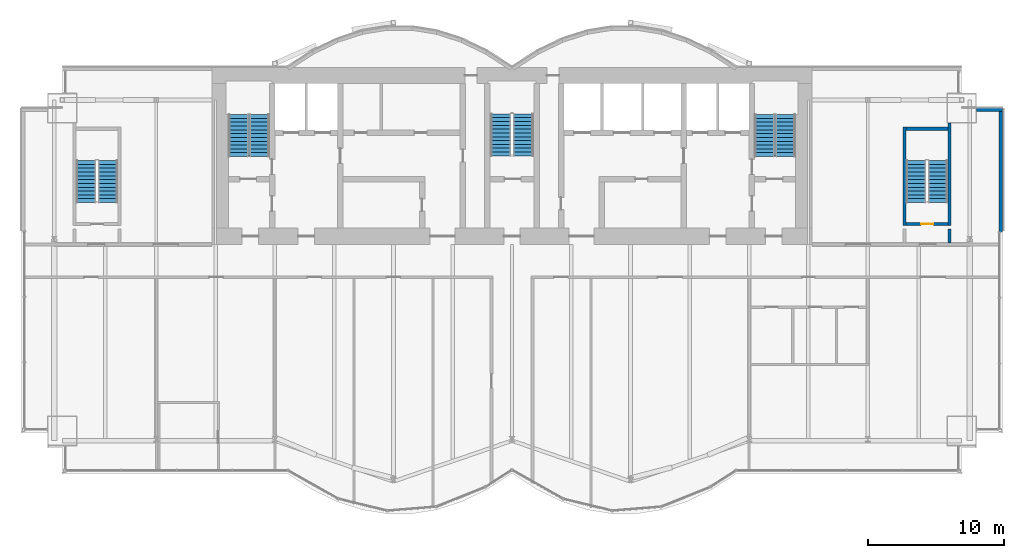
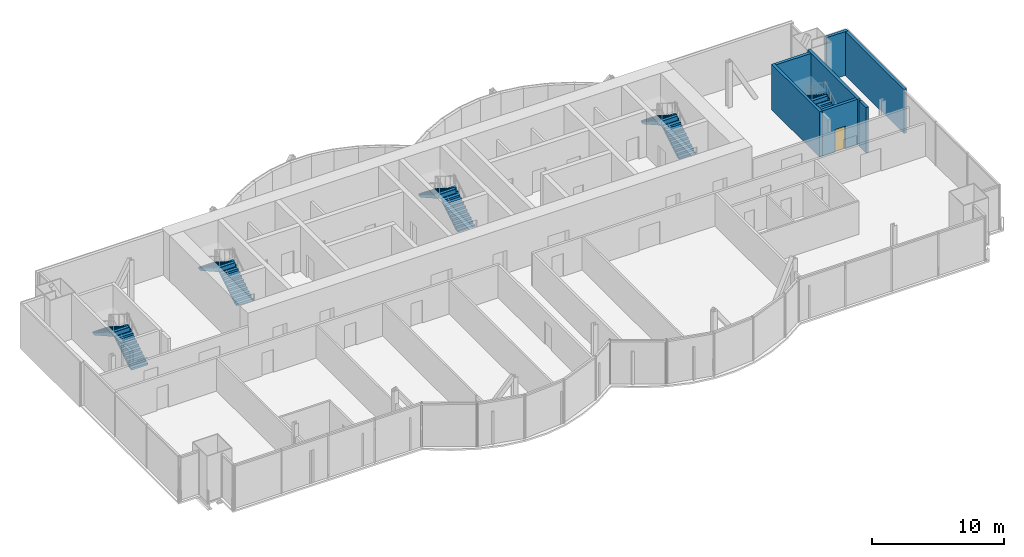
# One storey, part 17 of 20: 10 stair flights, 7 walls, 1 door, 1 opening, 5 elements without a shape of their own.
"""IFC4 building model written with IfcOpenShell, lengths in metres."""

from ifc_helpers import new_model, si_unit, direction, frame, frame_2d, origin, place, context, subcontext, project, spatial, polyline, rectangle, outline, extrude, material, layer, layer_set, layer_usage, type_object, element, fill, aggregate, save


model = new_model("IFC4")

# Units and contexts
model_context = context("Model", 3, precision=1e-05, world=origin(), true_north=direction((0.0, 1.0)))
body_context = subcontext(model_context, "Body", "Model", "MODEL_VIEW")
ifc_project = project(units=[si_unit("LENGTHUNIT", "METRE"), si_unit("AREAUNIT", "SQUARE_METRE"), si_unit("VOLUMEUNIT", "CUBIC_METRE"), si_unit("PLANEANGLEUNIT", "RADIAN"), si_unit("MASSUNIT", "GRAM", prefix="KILO")], contexts=[model_context])

# Site, building, storey
site_placement = place(None, origin())
site = spatial("IfcSite", under=ifc_project, at=site_placement, CompositionType="ELEMENT")
building_placement = place(site_placement, origin())
building = spatial("IfcBuilding", under=site, at=building_placement, Name="Bicima Exchange Tower", CompositionType="ELEMENT")
storey_placement = place(building_placement, frame((0.0, 0.0, 249.800048828125)))
storey = spatial("IfcBuildingStorey", under=building, at=storey_placement, Name="L56", CompositionType="ELEMENT", Elevation=249.800048828125)

# Walls
ifc_material_1 = material(Name="Concrete C50/60", Category="concrete")
ifc_layer_1 = layer(ifc_material_1, 0.25)
ifc_layer_set_1 = layer_set([ifc_layer_1], Name="Concrete C50/60")
wall_type_1 = type_object("IfcWallType", Name="RC core wall 250 C50/60", PredefinedType="SHEAR", material=ifc_layer_set_1)
wall_1_placement = place(storey_placement, frame((32.10009765625, -12.89990234375, 0.0), z_axis=(0.0, 0.0, 1.0), x_axis=(0.0, 1.0, 0.0)))
element("IfcWall", 1, at=wall_1_placement, inside=storey, type_object=wall_type_1, Name="stair wall 31", PredefinedType="SHEAR", context=body_context, shape_type="SweptSolid", body=[
    extrude(rectangle(XDim=1.0498046875, YDim=0.25, at=frame_2d((0.52490234375, 0.0))), origin(), (0.0, 0.0, 1.0), 4.199951171875),
])
ifc_layer_2 = layer(ifc_material_1, 0.25)
ifc_layer_set_2 = layer_set([ifc_layer_2], Name="Concrete C50/60")
wall_type_2 = type_object("IfcWallType", Name="RC stair enclosure wall 250 C50/60", PredefinedType="SHEAR", material=ifc_layer_set_2)
wall_2_placement = place(storey_placement, frame((28.800048828125, -11.625, 0.0), z_axis=(0.0, 0.0, 1.0), x_axis=(0.0, 1.0, 0.0)))
element("IfcWall", 2, at=wall_2_placement, inside=storey, type_object=wall_type_2, Name="East end exit stair wall W", PredefinedType="SHEAR", context=body_context, shape_type="SweptSolid", body=[
    extrude(rectangle(XDim=7.25, YDim=0.25, at=frame_2d((3.625, 0.0))), origin(), (0.0, 0.0, 1.0), 4.199951171875),
])
wall_3_placement = place(storey_placement, frame((32.10009765625, -11.625, 0.0), z_axis=(0.0, 0.0, 1.0), x_axis=(0.0, 1.0, 0.0)))
element("IfcWall", 3, at=wall_3_placement, inside=storey, type_object=wall_type_2, Name="East end exit stair wall E", PredefinedType="SHEAR", context=body_context, shape_type="SweptSolid", body=[
    extrude(rectangle(XDim=7.52490234375, YDim=0.25, at=frame_2d((3.762451171875, 0.0))), origin(), (0.0, 0.0, 1.0), 4.199951171875),
])

# Wall, opening, door
wall_4_placement = place(storey_placement, frame((28.925048828125, -11.5, 0.0), z_axis=(0.0, 0.0, 1.0), x_axis=(1.0, 0.0, 0.0)))
wall_4 = element("IfcWall", 4, at=wall_4_placement, inside=storey, type_object=wall_type_2, Name="East end exit stair wall S", PredefinedType="SHEAR", context=body_context, shape_type="SweptSolid", body=[
    extrude(rectangle(XDim=3.050048828125, YDim=0.25, at=frame_2d((1.52490234375, 0.0))), origin(), (0.0, 0.0, 1.0), 4.199951171875),
])
opening_placement = place(wall_4_placement, frame((1.10009765625, 0.0, 0.0)))
opening = element("IfcOpeningElement", 5, at=opening_placement, cuts=wall_4, Name="Opening L56-004", PredefinedType="OPENING", context=body_context, shape_type="SweptSolid", body=[
    extrude(rectangle(XDim=0.89990234375, YDim=2.10009765625, at=frame_2d((0.449951171875, 1.050048828125))), frame((0.0, 0.136962890625, 0.0), z_axis=(0.0, -1.0, 0.0), x_axis=(1.0, 0.0, 0.0)), (0.0, 0.0, 1.0), 0.27392578125),
])
ifc_material_2 = material(Name="Steel fire door leaf", Category="steel")
door_type = type_object("IfcDoorType", Name="Door 900 swing FD60S", OperationType="SINGLE_SWING_LEFT", PredefinedType="DOOR", material=ifc_material_2)
door_placement = place(opening_placement, origin())
door = element("IfcDoor", 6, at=door_placement, inside=storey, type_object=door_type, Name="Door", OperationType="SINGLE_SWING_LEFT", OverallHeight=2.10009765625, OverallWidth=0.89990234375, PredefinedType="DOOR", context=body_context, shape_type="SweptSolid", body=[
    extrude(rectangle(XDim=0.89990234375, YDim=2.10009765625, at=frame_2d((0.449951171875, 1.050048828125))), frame((0.0, 0.02490234375, 0.0), z_axis=(0.0, -1.0, 0.0), x_axis=(1.0, 0.0, 0.0)), (0.0, 0.0, 1.0), 0.050048828125),
])
fill(opening, door)

# Walls
wall_5_placement = place(storey_placement, frame((28.925048828125, -4.5, 0.0), z_axis=(0.0, 0.0, 1.0), x_axis=(1.0, 0.0, 0.0)))
element("IfcWall", 7, at=wall_5_placement, inside=storey, type_object=wall_type_2, Name="East end exit stair wall N", PredefinedType="SHEAR", context=body_context, shape_type="SweptSolid", body=[
    extrude(rectangle(XDim=3.050048828125, YDim=0.25, at=frame_2d((1.52490234375, 0.0))), origin(), (0.0, 0.0, 1.0), 4.199951171875),
])
ifc_material_3 = material(Name="Concrete C40/50", Category="concrete")
ifc_layer_3 = layer(ifc_material_3, 0.25)
ifc_layer_set_3 = layer_set([ifc_layer_3], Name="Concrete C40/50")
ifc_layer_usage = layer_usage(ifc_layer_set_3, "AXIS2", "POSITIVE", -0.125)
wall_type_3 = type_object("IfcWallType", Name="Rear backup wall 250", PredefinedType="STANDARD", material=ifc_layer_set_3)
wall_6_placement = place(storey_placement, frame((35.875, -12.090087890625, 0.0), z_axis=(0.0, 0.0, 1.0), x_axis=(0.0, 1.0, 0.0)))
element("IfcWall", 8, at=wall_6_placement, inside=storey, type_object=wall_type_3, material=ifc_layer_usage, Name="Rear backup wall L56 50", PredefinedType="STANDARD", context=body_context, shape_type="SweptSolid", body=[
    extrude(rectangle(XDim=9.090087890625, YDim=0.25, at=frame_2d((4.544921875, 0.0))), origin(), (0.0, 0.0, 1.0), 4.050048828125),
])
wall_7_placement = place(storey_placement, frame((36.0, -3.125, 0.0), z_axis=(0.0, 0.0, 1.0), x_axis=(-1.0, 0.0, 0.0)))
element("IfcWall", 9, at=wall_7_placement, inside=storey, type_object=wall_type_3, material=ifc_layer_usage, Name="Rear backup wall L56 51", PredefinedType="STANDARD", context=body_context, shape_type="SweptSolid", body=[
    extrude(rectangle(XDim=1.89990234375, YDim=0.25, at=frame_2d((0.949951171875, 0.0))), origin(), (0.0, 0.0, 1.0), 4.050048828125),
])

# Stair, stair flights
stair_type_1 = type_object("IfcStairType", Name="Exit stair", PredefinedType="HALF_TURN_STAIR", material=ifc_material_1)
stair_1_placement = place(storey_placement, origin())
stair_1 = element("IfcStair", 10, at=stair_1_placement, inside=storey, type_object=stair_type_1, Name="L56 West exit stair", PredefinedType="HALF_TURN_STAIR")
stair_flight_type_1 = type_object("IfcStairFlightType", Name="Stair flight RC", PredefinedType="STRAIGHT", material=ifc_material_1)
stair_flight_1_placement = place(storey_placement, frame((-18.52490234375, -6.550048828125, 0.0), z_axis=(0.0, 0.0, 1.0), x_axis=(0.0, 1.0, 0.0)))
stair_flight_1 = element("IfcStairFlight", 11, at=stair_flight_1_placement, type_object=stair_flight_type_1, Name="ST-W flight 1", NumberOfRisers=12, NumberOfTreads=11, PredefinedType="STRAIGHT", RiserHeight=0.175, TreadLength=0.28, context=body_context, shape_type="SweptSolid", body=[
    extrude(outline(polyline([(0.0, 0.0), (0.0, 0.175048828125), (0.280029296875, 0.175048828125), (0.280029296875, 0.35009765625), (0.56005859375, 0.35009765625), (0.56005859375, 0.52490234375), (0.840087890625, 0.52490234375), (0.840087890625, 0.699951171875), (1.1201171875, 0.699951171875), (1.1201171875, 0.875), (1.39990234375, 0.875), (1.39990234375, 1.050048828125), (1.679931640625, 1.050048828125), (1.679931640625, 1.22509765625), (1.9599609375, 1.22509765625), (1.9599609375, 1.39990234375), (2.239990234375, 1.39990234375), (2.239990234375, 1.574951171875), (2.52001953125, 1.574951171875), (2.52001953125, 1.75), (2.800048828125, 1.75), (2.800048828125, 1.925048828125), (3.080078125, 1.925048828125), (3.080078125, 2.10009765625), (3.080078125, 1.748291015625), (0.28271484375, 0.0), (0.0, 0.0)])), frame((0.0, 0.72509765625, 0.0), z_axis=(0.0, -1.0, 0.0), x_axis=(1.0, 0.0, 0.0)), (0.0, 0.0, 1.0), 1.449951171875),
])
stair_flight_2_placement = place(storey_placement, frame((-20.074951171875, -3.469970703125, 2.099853515625), z_axis=(0.0, 0.0, 1.0), x_axis=(0.0, -1.0, 0.0)))
stair_flight_2 = element("IfcStairFlight", 12, at=stair_flight_2_placement, type_object=stair_flight_type_1, Name="ST-W flight 2", NumberOfRisers=12, NumberOfTreads=11, PredefinedType="STRAIGHT", RiserHeight=0.175, TreadLength=0.28, context=body_context, shape_type="SweptSolid", body=[
    extrude(outline(polyline([(0.0, 0.0), (0.0, 0.175048828125), (0.280029296875, 0.175048828125), (0.280029296875, 0.35009765625), (0.56005859375, 0.35009765625), (0.56005859375, 0.52490234375), (0.840087890625, 0.52490234375), (0.840087890625, 0.699951171875), (1.1201171875, 0.699951171875), (1.1201171875, 0.875), (1.39990234375, 0.875), (1.39990234375, 1.050048828125), (1.679931640625, 1.050048828125), (1.679931640625, 1.22509765625), (1.9599609375, 1.22509765625), (1.9599609375, 1.39990234375), (2.239990234375, 1.39990234375), (2.239990234375, 1.574951171875), (2.52001953125, 1.574951171875), (2.52001953125, 1.75), (2.800048828125, 1.75), (2.800048828125, 1.925048828125), (3.080078125, 1.925048828125), (3.080078125, 1.9541015625), (3.094970703125, 1.9541015625), (3.094970703125, 1.58251953125), (0.28271484375, 0.0), (0.0, 0.0)])), frame((0.0, 0.72509765625, 0.0), z_axis=(0.0, -1.0, 0.0), x_axis=(1.0, 0.0, 0.0)), (0.0, 0.0, 1.0), 1.449951171875),
])
aggregate(stair_1, [stair_flight_1, stair_flight_2])

stair_2_placement = place(storey_placement, origin())
stair_2 = element("IfcStair", 13, at=stair_2_placement, inside=storey, type_object=stair_type_1, Name="L56 East exit stair", PredefinedType="HALF_TURN_STAIR")
stair_flight_3_placement = place(storey_placement, frame((20.074951171875, -6.550048828125, 0.0), z_axis=(0.0, 0.0, 1.0), x_axis=(0.0, 1.0, 0.0)))
stair_flight_3 = element("IfcStairFlight", 14, at=stair_flight_3_placement, type_object=stair_flight_type_1, Name="ST-E flight 1", NumberOfRisers=12, NumberOfTreads=11, PredefinedType="STRAIGHT", RiserHeight=0.175, TreadLength=0.28, context=body_context, shape_type="SweptSolid", body=[
    extrude(outline(polyline([(0.0, 0.0), (0.0, 0.175048828125), (0.280029296875, 0.175048828125), (0.280029296875, 0.35009765625), (0.56005859375, 0.35009765625), (0.56005859375, 0.52490234375), (0.840087890625, 0.52490234375), (0.840087890625, 0.699951171875), (1.1201171875, 0.699951171875), (1.1201171875, 0.875), (1.39990234375, 0.875), (1.39990234375, 1.050048828125), (1.679931640625, 1.050048828125), (1.679931640625, 1.22509765625), (1.9599609375, 1.22509765625), (1.9599609375, 1.39990234375), (2.239990234375, 1.39990234375), (2.239990234375, 1.574951171875), (2.52001953125, 1.574951171875), (2.52001953125, 1.75), (2.800048828125, 1.75), (2.800048828125, 1.925048828125), (3.080078125, 1.925048828125), (3.080078125, 2.10009765625), (3.080078125, 1.748291015625), (0.28271484375, 0.0), (0.0, 0.0)])), frame((0.0, 0.72509765625, 0.0), z_axis=(0.0, -1.0, 0.0), x_axis=(1.0, 0.0, 0.0)), (0.0, 0.0, 1.0), 1.449951171875),
])
stair_flight_4_placement = place(storey_placement, frame((18.52490234375, -3.469970703125, 2.099853515625), z_axis=(0.0, 0.0, 1.0), x_axis=(0.0, -1.0, 0.0)))
stair_flight_4 = element("IfcStairFlight", 15, at=stair_flight_4_placement, type_object=stair_flight_type_1, Name="ST-E flight 2", NumberOfRisers=12, NumberOfTreads=11, PredefinedType="STRAIGHT", RiserHeight=0.175, TreadLength=0.28, context=body_context, shape_type="SweptSolid", body=[
    extrude(outline(polyline([(0.0, 0.0), (0.0, 0.175048828125), (0.280029296875, 0.175048828125), (0.280029296875, 0.35009765625), (0.56005859375, 0.35009765625), (0.56005859375, 0.52490234375), (0.840087890625, 0.52490234375), (0.840087890625, 0.699951171875), (1.1201171875, 0.699951171875), (1.1201171875, 0.875), (1.39990234375, 0.875), (1.39990234375, 1.050048828125), (1.679931640625, 1.050048828125), (1.679931640625, 1.22509765625), (1.9599609375, 1.22509765625), (1.9599609375, 1.39990234375), (2.239990234375, 1.39990234375), (2.239990234375, 1.574951171875), (2.52001953125, 1.574951171875), (2.52001953125, 1.75), (2.800048828125, 1.75), (2.800048828125, 1.925048828125), (3.080078125, 1.925048828125), (3.080078125, 1.9541015625), (3.094970703125, 1.9541015625), (3.094970703125, 1.58251953125), (0.28271484375, 0.0), (0.0, 0.0)])), frame((0.0, 0.72509765625, 0.0), z_axis=(0.0, -1.0, 0.0), x_axis=(1.0, 0.0, 0.0)), (0.0, 0.0, 1.0), 1.449951171875),
])
aggregate(stair_2, [stair_flight_3, stair_flight_4])

stair_3_placement = place(storey_placement, origin())
stair_3 = element("IfcStair", 16, at=stair_3_placement, inside=storey, type_object=stair_type_1, Name="L56 West end exit stair", PredefinedType="HALF_TURN_STAIR")
stair_flight_5_placement = place(storey_placement, frame((-29.64990234375, -9.925048828125, 0.0), z_axis=(0.0, 0.0, 1.0), x_axis=(0.0, 1.0, 0.0)))
stair_flight_5 = element("IfcStairFlight", 17, at=stair_flight_5_placement, type_object=stair_flight_type_1, Name="ST-WW flight 1", NumberOfRisers=12, NumberOfTreads=11, PredefinedType="STRAIGHT", RiserHeight=0.175, TreadLength=0.28, context=body_context, shape_type="SweptSolid", body=[
    extrude(outline(polyline([(0.0, 0.0), (0.0, 0.175048828125), (0.280029296875, 0.175048828125), (0.280029296875, 0.35009765625), (0.56005859375, 0.35009765625), (0.56005859375, 0.52490234375), (0.840087890625, 0.52490234375), (0.840087890625, 0.699951171875), (1.1201171875, 0.699951171875), (1.1201171875, 0.875), (1.39990234375, 0.875), (1.39990234375, 1.050048828125), (1.679931640625, 1.050048828125), (1.679931640625, 1.22509765625), (1.9599609375, 1.22509765625), (1.9599609375, 1.39990234375), (2.239990234375, 1.39990234375), (2.239990234375, 1.574951171875), (2.52001953125, 1.574951171875), (2.52001953125, 1.75), (2.800048828125, 1.75), (2.800048828125, 1.925048828125), (3.080078125, 1.925048828125), (3.080078125, 2.10009765625), (3.080078125, 1.748291015625), (0.28271484375, 0.0), (0.0, 0.0)])), frame((0.0, 0.72509765625, 0.0), z_axis=(0.0, -1.0, 0.0), x_axis=(1.0, 0.0, 0.0)), (0.0, 0.0, 1.0), 1.449951171875),
])
stair_flight_6_placement = place(storey_placement, frame((-31.25, -6.844970703125, 2.099853515625), z_axis=(0.0, 0.0, 1.0), x_axis=(0.0, -1.0, 0.0)))
stair_flight_6 = element("IfcStairFlight", 18, at=stair_flight_6_placement, type_object=stair_flight_type_1, Name="ST-WW flight 2", NumberOfRisers=12, NumberOfTreads=11, PredefinedType="STRAIGHT", RiserHeight=0.175, TreadLength=0.28, context=body_context, shape_type="SweptSolid", body=[
    extrude(outline(polyline([(0.0, 0.0), (0.0, 0.175048828125), (0.280029296875, 0.175048828125), (0.280029296875, 0.35009765625), (0.56005859375, 0.35009765625), (0.56005859375, 0.52490234375), (0.840087890625, 0.52490234375), (0.840087890625, 0.699951171875), (1.1201171875, 0.699951171875), (1.1201171875, 0.875), (1.39990234375, 0.875), (1.39990234375, 1.050048828125), (1.679931640625, 1.050048828125), (1.679931640625, 1.22509765625), (1.9599609375, 1.22509765625), (1.9599609375, 1.39990234375), (2.239990234375, 1.39990234375), (2.239990234375, 1.574951171875), (2.52001953125, 1.574951171875), (2.52001953125, 1.75), (2.800048828125, 1.75), (2.800048828125, 1.925048828125), (3.080078125, 1.925048828125), (3.080078125, 1.9541015625), (3.094970703125, 1.9541015625), (3.094970703125, 1.58251953125), (0.28271484375, 0.0), (0.0, 0.0)])), frame((0.0, 0.72509765625, 0.0), z_axis=(0.0, -1.0, 0.0), x_axis=(1.0, 0.0, 0.0)), (0.0, 0.0, 1.0), 1.449951171875),
])
aggregate(stair_3, [stair_flight_5, stair_flight_6])

stair_4_placement = place(storey_placement, origin())
stair_4 = element("IfcStair", 19, at=stair_4_placement, inside=storey, type_object=stair_type_1, Name="L56 East end exit stair", PredefinedType="HALF_TURN_STAIR")
stair_flight_7_placement = place(storey_placement, frame((31.25, -9.925048828125, 0.0), z_axis=(0.0, 0.0, 1.0), x_axis=(0.0, 1.0, 0.0)))
stair_flight_7 = element("IfcStairFlight", 20, at=stair_flight_7_placement, type_object=stair_flight_type_1, Name="ST-EE flight 1", NumberOfRisers=12, NumberOfTreads=11, PredefinedType="STRAIGHT", RiserHeight=0.175, TreadLength=0.28, context=body_context, shape_type="SweptSolid", body=[
    extrude(outline(polyline([(0.0, 0.0), (0.0, 0.175048828125), (0.280029296875, 0.175048828125), (0.280029296875, 0.35009765625), (0.56005859375, 0.35009765625), (0.56005859375, 0.52490234375), (0.840087890625, 0.52490234375), (0.840087890625, 0.699951171875), (1.1201171875, 0.699951171875), (1.1201171875, 0.875), (1.39990234375, 0.875), (1.39990234375, 1.050048828125), (1.679931640625, 1.050048828125), (1.679931640625, 1.22509765625), (1.9599609375, 1.22509765625), (1.9599609375, 1.39990234375), (2.239990234375, 1.39990234375), (2.239990234375, 1.574951171875), (2.52001953125, 1.574951171875), (2.52001953125, 1.75), (2.800048828125, 1.75), (2.800048828125, 1.925048828125), (3.080078125, 1.925048828125), (3.080078125, 2.10009765625), (3.080078125, 1.748291015625), (0.28271484375, 0.0), (0.0, 0.0)])), frame((0.0, 0.72509765625, 0.0), z_axis=(0.0, -1.0, 0.0), x_axis=(1.0, 0.0, 0.0)), (0.0, 0.0, 1.0), 1.449951171875),
])
stair_flight_8_placement = place(storey_placement, frame((29.64990234375, -6.844970703125, 2.099853515625), z_axis=(0.0, 0.0, 1.0), x_axis=(0.0, -1.0, 0.0)))
stair_flight_8 = element("IfcStairFlight", 21, at=stair_flight_8_placement, type_object=stair_flight_type_1, Name="ST-EE flight 2", NumberOfRisers=12, NumberOfTreads=11, PredefinedType="STRAIGHT", RiserHeight=0.175, TreadLength=0.28, context=body_context, shape_type="SweptSolid", body=[
    extrude(outline(polyline([(0.0, 0.0), (0.0, 0.175048828125), (0.280029296875, 0.175048828125), (0.280029296875, 0.35009765625), (0.56005859375, 0.35009765625), (0.56005859375, 0.52490234375), (0.840087890625, 0.52490234375), (0.840087890625, 0.699951171875), (1.1201171875, 0.699951171875), (1.1201171875, 0.875), (1.39990234375, 0.875), (1.39990234375, 1.050048828125), (1.679931640625, 1.050048828125), (1.679931640625, 1.22509765625), (1.9599609375, 1.22509765625), (1.9599609375, 1.39990234375), (2.239990234375, 1.39990234375), (2.239990234375, 1.574951171875), (2.52001953125, 1.574951171875), (2.52001953125, 1.75), (2.800048828125, 1.75), (2.800048828125, 1.925048828125), (3.080078125, 1.925048828125), (3.080078125, 1.9541015625), (3.094970703125, 1.9541015625), (3.094970703125, 1.58251953125), (0.28271484375, 0.0), (0.0, 0.0)])), frame((0.0, 0.72509765625, 0.0), z_axis=(0.0, -1.0, 0.0), x_axis=(1.0, 0.0, 0.0)), (0.0, 0.0, 1.0), 1.449951171875),
])
aggregate(stair_4, [stair_flight_7, stair_flight_8])

stair_type_2 = type_object("IfcStairType", Name="Exit stair 1500", PredefinedType="HALF_TURN_STAIR", material=ifc_material_1)
stair_5_placement = place(storey_placement, origin())
stair_5 = element("IfcStair", 22, at=stair_5_placement, inside=storey, type_object=stair_type_2, Name="L56 Central exit stair", PredefinedType="HALF_TURN_STAIR")
stair_flight_type_2 = type_object("IfcStairFlightType", Name="Stair flight RC 1500", PredefinedType="STRAIGHT", material=ifc_material_1)
stair_flight_9_placement = place(storey_placement, frame((0.824951171875, -6.5, 0.0), z_axis=(0.0, 0.0, 1.0), x_axis=(0.0, 1.0, 0.0)))
stair_flight_9 = element("IfcStairFlight", 23, at=stair_flight_9_placement, type_object=stair_flight_type_2, Name="ST-C flight 1", NumberOfRisers=12, NumberOfTreads=11, PredefinedType="STRAIGHT", RiserHeight=0.175, TreadLength=0.28, context=body_context, shape_type="SweptSolid", body=[
    extrude(outline(polyline([(0.0, 0.0), (0.0, 0.175048828125), (0.280029296875, 0.175048828125), (0.280029296875, 0.35009765625), (0.56005859375, 0.35009765625), (0.56005859375, 0.52490234375), (0.840087890625, 0.52490234375), (0.840087890625, 0.699951171875), (1.1201171875, 0.699951171875), (1.1201171875, 0.875), (1.39990234375, 0.875), (1.39990234375, 1.050048828125), (1.679931640625, 1.050048828125), (1.679931640625, 1.22509765625), (1.9599609375, 1.22509765625), (1.9599609375, 1.39990234375), (2.239990234375, 1.39990234375), (2.239990234375, 1.574951171875), (2.52001953125, 1.574951171875), (2.52001953125, 1.75), (2.800048828125, 1.75), (2.800048828125, 1.925048828125), (3.080078125, 1.925048828125), (3.080078125, 2.10009765625), (3.080078125, 1.748291015625), (0.28271484375, 0.0), (0.0, 0.0)])), frame((0.0, 0.75, 0.0), z_axis=(0.0, -1.0, 0.0), x_axis=(1.0, 0.0, 0.0)), (0.0, 0.0, 1.0), 1.5),
])
stair_flight_10_placement = place(storey_placement, frame((-0.824951171875, -3.419921875, 2.099853515625), z_axis=(0.0, 0.0, 1.0), x_axis=(0.0, -1.0, 0.0)))
stair_flight_10 = element("IfcStairFlight", 24, at=stair_flight_10_placement, type_object=stair_flight_type_2, Name="ST-C flight 2", NumberOfRisers=12, NumberOfTreads=11, PredefinedType="STRAIGHT", RiserHeight=0.175, TreadLength=0.28, context=body_context, shape_type="SweptSolid", body=[
    extrude(outline(polyline([(0.0, 0.0), (0.0, 0.175048828125), (0.280029296875, 0.175048828125), (0.280029296875, 0.35009765625), (0.56005859375, 0.35009765625), (0.56005859375, 0.52490234375), (0.840087890625, 0.52490234375), (0.840087890625, 0.699951171875), (1.1201171875, 0.699951171875), (1.1201171875, 0.875), (1.39990234375, 0.875), (1.39990234375, 1.050048828125), (1.679931640625, 1.050048828125), (1.679931640625, 1.22509765625), (1.9599609375, 1.22509765625), (1.9599609375, 1.39990234375), (2.239990234375, 1.39990234375), (2.239990234375, 1.574951171875), (2.52001953125, 1.574951171875), (2.52001953125, 1.75), (2.800048828125, 1.75), (2.800048828125, 1.925048828125), (3.080078125, 1.925048828125), (3.080078125, 1.9541015625), (3.094970703125, 1.9541015625), (3.094970703125, 1.58251953125), (0.28271484375, 0.0), (0.0, 0.0)])), frame((0.0, 0.75, 0.0), z_axis=(0.0, -1.0, 0.0), x_axis=(1.0, 0.0, 0.0)), (0.0, 0.0, 1.0), 1.5),
])
aggregate(stair_5, [stair_flight_9, stair_flight_10])

save(model, "model.ifc")
